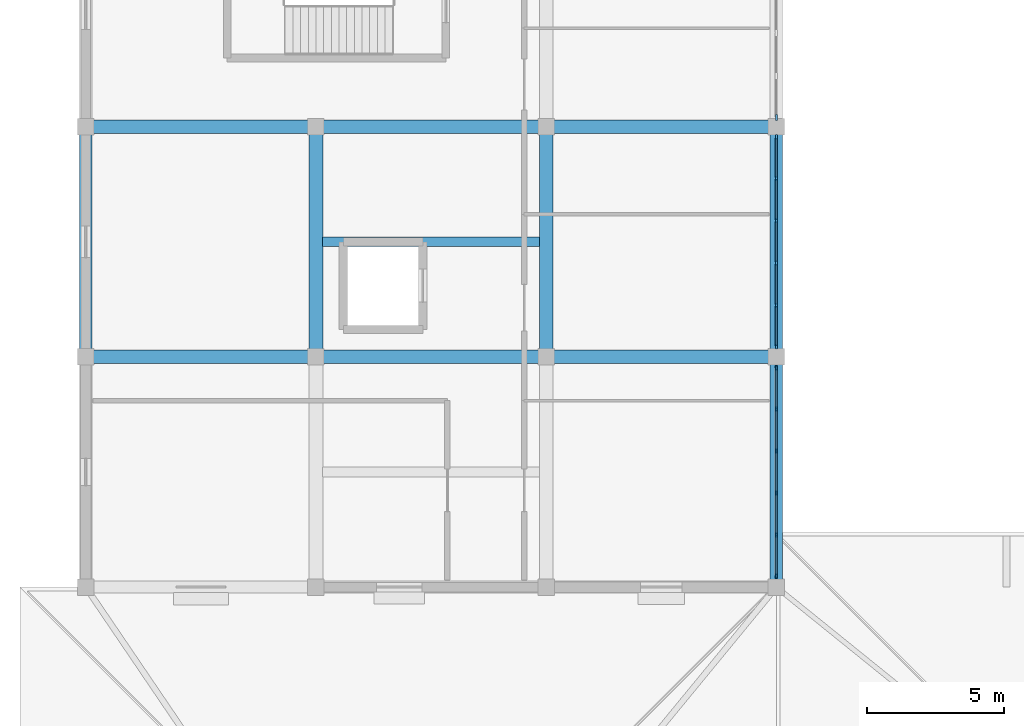
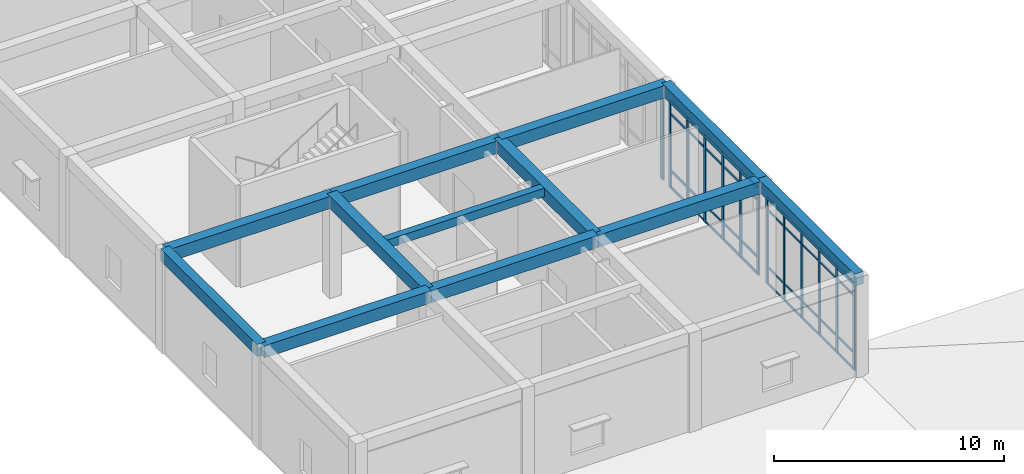
# One storey, part 6 of 89: 53 members, 12 beams, 3 elements without a shape of their own.
"""IFC4 building model written with IfcOpenShell, lengths in metres."""

from ifc_helpers import new_model, si_unit, direction, frame, origin, origin_2d, place, context, subcontext, project, spatial, rectangle, extrude, material, material_profile, profile_set, type_object, element, aggregate, save


model = new_model("IFC4")

# Units and contexts
model_context = context("Model", 3, precision=1e-05, world=origin(), true_north=direction((0.0, 1.0)))
body_context = subcontext(model_context, "Body", "Model", "MODEL_VIEW")
ifc_project = project(units=[si_unit("LENGTHUNIT", "METRE"), si_unit("AREAUNIT", "SQUARE_METRE"), si_unit("VOLUMEUNIT", "CUBIC_METRE"), si_unit("PLANEANGLEUNIT", "RADIAN"), si_unit("MASSUNIT", "GRAM", prefix="KILO")], contexts=[model_context])

# Site, building, storey
site_placement = place(None, origin())
site = spatial("IfcSite", under=ifc_project, at=site_placement, CompositionType="ELEMENT")
building_placement = place(site_placement, origin())
building = spatial("IfcBuilding", under=site, at=building_placement, Name="Varncliffe General Hospital", CompositionType="ELEMENT")
storey_placement = place(building_placement, frame((0.0, 0.0, 10.800048828125)))
storey = spatial("IfcBuildingStorey", under=building, at=storey_placement, Name="L02", CompositionType="ELEMENT", Elevation=10.800048828125)

# Beams
ifc_material_1 = material(Name="Concrete C35/45 (CSA A23.1 35 MPa)", Category="concrete")
ifc_material_profile_1 = material_profile(ifc_material_1, rectangle(XDim=0.5, YDim=0.64990234375, at=origin_2d()), Name="RC 500x650")
ifc_profile_set_1 = profile_set([ifc_material_profile_1], Name="Concrete C35/45 (CSA A23.1 35 MPa)")
beam_type_1 = type_object("IfcBeamType", Name="Beam B29 (Int RC 500x650)", PredefinedType="BEAM", material=ifc_profile_set_1)
beam_1_placement = place(storey_placement, frame((0.0, 49.199951171875, 5.074951171875), z_axis=(1.0, 0.0, 0.0), x_axis=(0.0, 1.0, 0.0)))
element("IfcBeam", 1, at=beam_1_placement, inside=storey, type_object=beam_type_1, Name="L02 Primary Beam B29-51", PredefinedType="BEAM", context=body_context, shape_type="SweptSolid", body=[
    extrude(rectangle(XDim=0.5, YDim=0.64990234375, at=origin_2d()), origin(), (0.0, 0.0, 1.0), 8.39990234375),
])
beam_2_placement = place(storey_placement, frame((8.39990234375, 49.199951171875, 5.074951171875), z_axis=(1.0, 0.0, 0.0), x_axis=(0.0, 1.0, 0.0)))
element("IfcBeam", 2, at=beam_2_placement, inside=storey, type_object=beam_type_1, Name="L02 Primary Beam B29-52", PredefinedType="BEAM", context=body_context, shape_type="SweptSolid", body=[
    extrude(rectangle(XDim=0.5, YDim=0.64990234375, at=origin_2d()), origin(), (0.0, 0.0, 1.0), 8.400146484375),
])
for number, where, z_axis, x_axis, name in (
    (3, (16.800048828125, 49.199951171875, 5.074951171875), (1.0, 0.0, 0.0), (0.0, 1.0, 0.0), "L02 Primary Beam B29-53"),
    (4, (0.0, 57.60009765625, 5.074951171875), (1.0, 0.0, 0.0), (0.0, 1.0, 0.0), "L02 Primary Beam B29-54"),
):
    element("IfcBeam", number, at=place(storey_placement, frame(where, z_axis=z_axis, x_axis=x_axis)), inside=storey, type_object=beam_type_1, Name=name, PredefinedType="BEAM", context=body_context, shape_type="SweptSolid", body=[
        extrude(rectangle(XDim=0.5, YDim=0.64990234375, at=origin_2d()), origin(), (0.0, 0.0, 1.0), 8.39990234375),
    ])
beam_3_placement = place(storey_placement, frame((8.39990234375, 57.60009765625, 5.074951171875), z_axis=(1.0, 0.0, 0.0), x_axis=(0.0, 1.0, 0.0)))
element("IfcBeam", 5, at=beam_3_placement, inside=storey, type_object=beam_type_1, Name="L02 Primary Beam B29-55", PredefinedType="BEAM", context=body_context, shape_type="SweptSolid", body=[
    extrude(rectangle(XDim=0.5, YDim=0.64990234375, at=origin_2d()), origin(), (0.0, 0.0, 1.0), 8.400146484375),
])
beam_4_placement = place(storey_placement, frame((16.800048828125, 57.60009765625, 5.074951171875), z_axis=(1.0, 0.0, 0.0), x_axis=(0.0, 1.0, 0.0)))
element("IfcBeam", 6, at=beam_4_placement, inside=storey, type_object=beam_type_1, Name="L02 Primary Beam B29-56", PredefinedType="BEAM", context=body_context, shape_type="SweptSolid", body=[
    extrude(rectangle(XDim=0.5, YDim=0.64990234375, at=origin_2d()), origin(), (0.0, 0.0, 1.0), 8.39990234375),
])
for number, where, z_axis, x_axis, name in (
    (7, (8.39990234375, 49.199951171875, 5.074951171875), (0.0, 1.0, 0.0), (-1.0, 0.0, 0.0), "L02 Primary Beam B29-253"),
    (8, (16.800048828125, 49.199951171875, 5.074951171875), (0.0, 1.0, 0.0), (-1.0, 0.0, 0.0), "L02 Primary Beam B29-264"),
):
    element("IfcBeam", number, at=place(storey_placement, frame(where, z_axis=z_axis, x_axis=x_axis)), inside=storey, type_object=beam_type_1, Name=name, PredefinedType="BEAM", context=body_context, shape_type="SweptSolid", body=[
        extrude(rectangle(XDim=0.5, YDim=0.64990234375, at=origin_2d()), origin(), (0.0, 0.0, 1.0), 8.400146484375),
    ])

# Curtain wall, members
ifc_material_2 = material(Name="Triple low-E argon insulated vision glazing", Category="glass")
curtain_wall_type_1 = type_object("IfcCurtainWallType", Name="Unitised Glazed Curtain Wall CW70 (7724x4640)", PredefinedType="USERDEFINED", material=ifc_material_2)
curtain_wall_1_placement = place(storey_placement, origin())
curtain_wall_1 = element("IfcCurtainWall", 9, at=curtain_wall_1_placement, inside=storey, type_object=curtain_wall_type_1, Name="L02 Glazed Curtain Wall CW70-151", ObjectType="GLAZED CURTAIN WALL", PredefinedType="USERDEFINED")
ifc_material_3 = material(Name="Dark bronze thermally broken aluminium framing", Category="aluminium")
ifc_material_profile_2 = material_profile(ifc_material_3, rectangle(XDim=0.074951171875, YDim=0.179931640625, at=origin_2d()), Name="ALU 75x180")
ifc_profile_set_2 = profile_set([ifc_material_profile_2], Name="Dark bronze thermally broken aluminium framing")
member_type_1 = type_object("IfcMemberType", Name="Curtain Wall Mullion CM44 (ALU 75x180)", PredefinedType="MULLION", material=ifc_profile_set_2)
member_1_placement = place(storey_placement, frame((25.199951171875, 57.224609375, 0.0), z_axis=(0.0, 0.0, 1.0), x_axis=(1.0, 0.0, 0.0)))
member_1 = element("IfcMember", 10, at=member_1_placement, type_object=member_type_1, Name="CW70 mullion 1", PredefinedType="MULLION", context=body_context, shape_type="SweptSolid", body=[
    extrude(rectangle(XDim=0.074951171875, YDim=0.179931640625, at=origin_2d()), origin(), (0.0, 0.0, 1.0), 4.639892578125),
])
member_2_placement = place(storey_placement, frame((25.199951171875, 55.71728515625, 0.0), z_axis=(0.0, 0.0, 1.0), x_axis=(1.0, 0.0, 0.0)))
member_2 = element("IfcMember", 11, at=member_2_placement, type_object=member_type_1, Name="CW70 mullion 2", PredefinedType="MULLION", context=body_context, shape_type="SweptSolid", body=[
    extrude(rectangle(XDim=0.074951171875, YDim=0.179931640625, at=origin_2d()), origin(), (0.0, 0.0, 1.0), 4.639892578125),
])
member_3_placement = place(storey_placement, frame((25.199951171875, 54.17236328125, 0.0), z_axis=(0.0, 0.0, 1.0), x_axis=(1.0, 0.0, 0.0)))
member_3 = element("IfcMember", 12, at=member_3_placement, type_object=member_type_1, Name="CW70 mullion 3", PredefinedType="MULLION", context=body_context, shape_type="SweptSolid", body=[
    extrude(rectangle(XDim=0.074951171875, YDim=0.179931640625, at=origin_2d()), origin(), (0.0, 0.0, 1.0), 4.639892578125),
])
member_4_placement = place(storey_placement, frame((25.199951171875, 52.627685546875, 0.0), z_axis=(0.0, 0.0, 1.0), x_axis=(1.0, 0.0, 0.0)))
member_4 = element("IfcMember", 13, at=member_4_placement, type_object=member_type_1, Name="CW70 mullion 4", PredefinedType="MULLION", context=body_context, shape_type="SweptSolid", body=[
    extrude(rectangle(XDim=0.074951171875, YDim=0.179931640625, at=origin_2d()), origin(), (0.0, 0.0, 1.0), 4.639892578125),
])
member_5_placement = place(storey_placement, frame((25.199951171875, 51.082763671875, 0.0), z_axis=(0.0, 0.0, 1.0), x_axis=(1.0, 0.0, 0.0)))
member_5 = element("IfcMember", 14, at=member_5_placement, type_object=member_type_1, Name="CW70 mullion 5", PredefinedType="MULLION", context=body_context, shape_type="SweptSolid", body=[
    extrude(rectangle(XDim=0.074951171875, YDim=0.179931640625, at=origin_2d()), origin(), (0.0, 0.0, 1.0), 4.639892578125),
])
member_6_placement = place(storey_placement, frame((25.199951171875, 49.575439453125, 0.0), z_axis=(0.0, 0.0, 1.0), x_axis=(1.0, 0.0, 0.0)))
member_6 = element("IfcMember", 15, at=member_6_placement, type_object=member_type_1, Name="CW70 mullion 6", PredefinedType="MULLION", context=body_context, shape_type="SweptSolid", body=[
    extrude(rectangle(XDim=0.074951171875, YDim=0.179931640625, at=origin_2d()), origin(), (0.0, 0.0, 1.0), 4.639892578125),
])

curtain_wall_type_2 = type_object("IfcCurtainWallType", Name="Unitised Glazed Curtain Wall CW27 (7644x4640)", PredefinedType="USERDEFINED", material=ifc_material_2)
curtain_wall_2_placement = place(storey_placement, origin())
curtain_wall_2 = element("IfcCurtainWall", 16, at=curtain_wall_2_placement, inside=storey, type_object=curtain_wall_type_2, Name="L02 Glazed Curtain Wall CW27-152", ObjectType="GLAZED CURTAIN WALL", PredefinedType="USERDEFINED")
ifc_material_profile_3 = material_profile(ifc_material_3, rectangle(XDim=0.06494140625, YDim=0.159912109375, at=origin_2d()), Name="ALU 65x160")
ifc_profile_set_3 = profile_set([ifc_material_profile_3], Name="Dark bronze thermally broken aluminium framing")
member_type_2 = type_object("IfcMemberType", Name="Curtain Wall Mullion CM65 (ALU 65x160)", PredefinedType="MULLION", material=ifc_profile_set_3)
member_7_placement = place(storey_placement, frame((25.199951171875, 48.78955078125, 0.0), z_axis=(0.0, 0.0, 1.0), x_axis=(1.0, 0.0, 0.0)))
member_7 = element("IfcMember", 17, at=member_7_placement, type_object=member_type_2, Name="CW27 mullion 1", PredefinedType="MULLION", context=body_context, shape_type="SweptSolid", body=[
    extrude(rectangle(XDim=0.06494140625, YDim=0.159912109375, at=origin_2d()), origin(), (0.0, 0.0, 1.0), 4.639892578125),
])
member_8_placement = place(storey_placement, frame((25.199951171875, 47.293212890625, 0.0), z_axis=(0.0, 0.0, 1.0), x_axis=(1.0, 0.0, 0.0)))
member_8 = element("IfcMember", 18, at=member_8_placement, type_object=member_type_2, Name="CW27 mullion 2", PredefinedType="MULLION", context=body_context, shape_type="SweptSolid", body=[
    extrude(rectangle(XDim=0.06494140625, YDim=0.159912109375, at=origin_2d()), origin(), (0.0, 0.0, 1.0), 4.639892578125),
])
member_9_placement = place(storey_placement, frame((25.199951171875, 45.764404296875, 0.0), z_axis=(0.0, 0.0, 1.0), x_axis=(1.0, 0.0, 0.0)))
member_9 = element("IfcMember", 19, at=member_9_placement, type_object=member_type_2, Name="CW27 mullion 3", PredefinedType="MULLION", context=body_context, shape_type="SweptSolid", body=[
    extrude(rectangle(XDim=0.06494140625, YDim=0.159912109375, at=origin_2d()), origin(), (0.0, 0.0, 1.0), 4.639892578125),
])
member_10_placement = place(storey_placement, frame((25.199951171875, 44.235595703125, 0.0), z_axis=(0.0, 0.0, 1.0), x_axis=(1.0, 0.0, 0.0)))
member_10 = element("IfcMember", 20, at=member_10_placement, type_object=member_type_2, Name="CW27 mullion 4", PredefinedType="MULLION", context=body_context, shape_type="SweptSolid", body=[
    extrude(rectangle(XDim=0.06494140625, YDim=0.159912109375, at=origin_2d()), origin(), (0.0, 0.0, 1.0), 4.639892578125),
])
member_11_placement = place(storey_placement, frame((25.199951171875, 42.706787109375, 0.0), z_axis=(0.0, 0.0, 1.0), x_axis=(1.0, 0.0, 0.0)))
member_11 = element("IfcMember", 21, at=member_11_placement, type_object=member_type_2, Name="CW27 mullion 5", PredefinedType="MULLION", context=body_context, shape_type="SweptSolid", body=[
    extrude(rectangle(XDim=0.06494140625, YDim=0.159912109375, at=origin_2d()), origin(), (0.0, 0.0, 1.0), 4.639892578125),
])
member_12_placement = place(storey_placement, frame((25.199951171875, 41.21044921875, 0.0), z_axis=(0.0, 0.0, 1.0), x_axis=(1.0, 0.0, 0.0)))
member_12 = element("IfcMember", 22, at=member_12_placement, type_object=member_type_2, Name="CW27 mullion 6", PredefinedType="MULLION", context=body_context, shape_type="SweptSolid", body=[
    extrude(rectangle(XDim=0.06494140625, YDim=0.159912109375, at=origin_2d()), origin(), (0.0, 0.0, 1.0), 4.639892578125),
])

# Curtain wall, member
curtain_wall_type_3 = type_object("IfcCurtainWallType", Name="Unitised Glazed Curtain Wall CW85 (7804x4640)", PredefinedType="USERDEFINED", material=ifc_material_2)
curtain_wall_3_placement = place(storey_placement, origin())
curtain_wall_3 = element("IfcCurtainWall", 23, at=curtain_wall_3_placement, inside=storey, type_object=curtain_wall_type_3, Name="L02 Glazed Curtain Wall CW85-150", ObjectType="GLAZED CURTAIN WALL", PredefinedType="USERDEFINED")
ifc_material_profile_4 = material_profile(ifc_material_3, rectangle(XDim=0.074951171875, YDim=0.219970703125, at=origin_2d()), Name="ALU 75x220")
ifc_profile_set_4 = profile_set([ifc_material_profile_4], Name="Dark bronze thermally broken aluminium framing")
member_type_3 = type_object("IfcMemberType", Name="Curtain Wall Mullion CM74 (ALU 75x220)", PredefinedType="MULLION", material=ifc_profile_set_4)
member_13_placement = place(storey_placement, frame((25.199951171875, 57.935546875, 0.0), z_axis=(0.0, 0.0, 1.0), x_axis=(1.0, 0.0, 0.0)))
member_13 = element("IfcMember", 24, at=member_13_placement, type_object=member_type_3, Name="CW85 mullion 6", PredefinedType="MULLION", context=body_context, shape_type="SweptSolid", body=[
    extrude(rectangle(XDim=0.074951171875, YDim=0.219970703125, at=origin_2d()), origin(), (0.0, 0.0, 1.0), 4.639892578125),
])
aggregate(curtain_wall_3, [member_13])

# Member
ifc_material_profile_5 = material_profile(ifc_material_3, rectangle(XDim=0.06005859375, YDim=0.1201171875, at=origin_2d()), Name="ALU 60x120")
ifc_profile_set_5 = profile_set([ifc_material_profile_5], Name="Dark bronze thermally broken aluminium framing")
member_type_4 = type_object("IfcMemberType", Name="Curtain Wall Transom CT14 (ALU 60x120)", PredefinedType="USERDEFINED", material=ifc_profile_set_5)
member_14_placement = place(storey_placement, frame((25.199951171875, 57.18701171875, 0.030029296875), z_axis=(0.0, -1.0, 0.0), x_axis=(1.0, 0.0, 0.0)))
member_14 = element("IfcMember", 25, at=member_14_placement, type_object=member_type_4, Name="CW70 transom 1.1", ObjectType="TRANSOM", PredefinedType="USERDEFINED", context=body_context, shape_type="SweptSolid", body=[
    extrude(rectangle(XDim=0.06005859375, YDim=0.1201171875, at=origin_2d()), origin(), (0.0, 0.0, 1.0), 1.432373046875),
])

member_15_placement = place(storey_placement, frame((25.199951171875, 57.18701171875, 0.89990234375), z_axis=(0.0, -1.0, 0.0), x_axis=(1.0, 0.0, 0.0)))
member_15 = element("IfcMember", 26, at=member_15_placement, type_object=member_type_4, Name="CW70 transom 1.2", ObjectType="TRANSOM", PredefinedType="USERDEFINED", context=body_context, shape_type="SweptSolid", body=[
    extrude(rectangle(XDim=0.06005859375, YDim=0.1201171875, at=origin_2d()), origin(), (0.0, 0.0, 1.0), 1.432373046875),
])

member_16_placement = place(storey_placement, frame((25.199951171875, 57.18701171875, 3.93994140625), z_axis=(0.0, -1.0, 0.0), x_axis=(1.0, 0.0, 0.0)))
member_16 = element("IfcMember", 27, at=member_16_placement, type_object=member_type_4, Name="CW70 transom 1.3", ObjectType="TRANSOM", PredefinedType="USERDEFINED", context=body_context, shape_type="SweptSolid", body=[
    extrude(rectangle(XDim=0.06005859375, YDim=0.1201171875, at=origin_2d()), origin(), (0.0, 0.0, 1.0), 1.432373046875),
])

member_17_placement = place(storey_placement, frame((25.199951171875, 57.18701171875, 4.60986328125), z_axis=(0.0, -1.0, 0.0), x_axis=(1.0, 0.0, 0.0)))
member_17 = element("IfcMember", 28, at=member_17_placement, type_object=member_type_4, Name="CW70 transom 1.4", ObjectType="TRANSOM", PredefinedType="USERDEFINED", context=body_context, shape_type="SweptSolid", body=[
    extrude(rectangle(XDim=0.06005859375, YDim=0.1201171875, at=origin_2d()), origin(), (0.0, 0.0, 1.0), 1.432373046875),
])

member_18_placement = place(storey_placement, frame((25.199951171875, 55.6796875, 0.030029296875), z_axis=(0.0, -1.0, 0.0), x_axis=(1.0, 0.0, 0.0)))
member_18 = element("IfcMember", 29, at=member_18_placement, type_object=member_type_4, Name="CW70 transom 2.1", ObjectType="TRANSOM", PredefinedType="USERDEFINED", context=body_context, shape_type="SweptSolid", body=[
    extrude(rectangle(XDim=0.06005859375, YDim=0.1201171875, at=origin_2d()), origin(), (0.0, 0.0, 1.0), 1.4697265625),
])

member_19_placement = place(storey_placement, frame((25.199951171875, 55.6796875, 0.89990234375), z_axis=(0.0, -1.0, 0.0), x_axis=(1.0, 0.0, 0.0)))
member_19 = element("IfcMember", 30, at=member_19_placement, type_object=member_type_4, Name="CW70 transom 2.2", ObjectType="TRANSOM", PredefinedType="USERDEFINED", context=body_context, shape_type="SweptSolid", body=[
    extrude(rectangle(XDim=0.06005859375, YDim=0.1201171875, at=origin_2d()), origin(), (0.0, 0.0, 1.0), 1.4697265625),
])

member_20_placement = place(storey_placement, frame((25.199951171875, 55.6796875, 3.93994140625), z_axis=(0.0, -1.0, 0.0), x_axis=(1.0, 0.0, 0.0)))
member_20 = element("IfcMember", 31, at=member_20_placement, type_object=member_type_4, Name="CW70 transom 2.3", ObjectType="TRANSOM", PredefinedType="USERDEFINED", context=body_context, shape_type="SweptSolid", body=[
    extrude(rectangle(XDim=0.06005859375, YDim=0.1201171875, at=origin_2d()), origin(), (0.0, 0.0, 1.0), 1.4697265625),
])

member_21_placement = place(storey_placement, frame((25.199951171875, 55.6796875, 4.60986328125), z_axis=(0.0, -1.0, 0.0), x_axis=(1.0, 0.0, 0.0)))
member_21 = element("IfcMember", 32, at=member_21_placement, type_object=member_type_4, Name="CW70 transom 2.4", ObjectType="TRANSOM", PredefinedType="USERDEFINED", context=body_context, shape_type="SweptSolid", body=[
    extrude(rectangle(XDim=0.06005859375, YDim=0.1201171875, at=origin_2d()), origin(), (0.0, 0.0, 1.0), 1.4697265625),
])

member_22_placement = place(storey_placement, frame((25.199951171875, 54.135009765625, 0.030029296875), z_axis=(0.0, -1.0, 0.0), x_axis=(1.0, 0.0, 0.0)))
member_22 = element("IfcMember", 33, at=member_22_placement, type_object=member_type_4, Name="CW70 transom 3.1", ObjectType="TRANSOM", PredefinedType="USERDEFINED", context=body_context, shape_type="SweptSolid", body=[
    extrude(rectangle(XDim=0.06005859375, YDim=0.1201171875, at=origin_2d()), origin(), (0.0, 0.0, 1.0), 1.469970703125),
])

member_23_placement = place(storey_placement, frame((25.199951171875, 54.135009765625, 0.89990234375), z_axis=(0.0, -1.0, 0.0), x_axis=(1.0, 0.0, 0.0)))
member_23 = element("IfcMember", 34, at=member_23_placement, type_object=member_type_4, Name="CW70 transom 3.2", ObjectType="TRANSOM", PredefinedType="USERDEFINED", context=body_context, shape_type="SweptSolid", body=[
    extrude(rectangle(XDim=0.06005859375, YDim=0.1201171875, at=origin_2d()), origin(), (0.0, 0.0, 1.0), 1.469970703125),
])

member_24_placement = place(storey_placement, frame((25.199951171875, 54.135009765625, 3.93994140625), z_axis=(0.0, -1.0, 0.0), x_axis=(1.0, 0.0, 0.0)))
member_24 = element("IfcMember", 35, at=member_24_placement, type_object=member_type_4, Name="CW70 transom 3.3", ObjectType="TRANSOM", PredefinedType="USERDEFINED", context=body_context, shape_type="SweptSolid", body=[
    extrude(rectangle(XDim=0.06005859375, YDim=0.1201171875, at=origin_2d()), origin(), (0.0, 0.0, 1.0), 1.469970703125),
])

member_25_placement = place(storey_placement, frame((25.199951171875, 54.135009765625, 4.60986328125), z_axis=(0.0, -1.0, 0.0), x_axis=(1.0, 0.0, 0.0)))
member_25 = element("IfcMember", 36, at=member_25_placement, type_object=member_type_4, Name="CW70 transom 3.4", ObjectType="TRANSOM", PredefinedType="USERDEFINED", context=body_context, shape_type="SweptSolid", body=[
    extrude(rectangle(XDim=0.06005859375, YDim=0.1201171875, at=origin_2d()), origin(), (0.0, 0.0, 1.0), 1.469970703125),
])

member_26_placement = place(storey_placement, frame((25.199951171875, 52.590087890625, 0.030029296875), z_axis=(0.0, -1.0, 0.0), x_axis=(1.0, 0.0, 0.0)))
member_26 = element("IfcMember", 37, at=member_26_placement, type_object=member_type_4, Name="CW70 transom 4.1", ObjectType="TRANSOM", PredefinedType="USERDEFINED", context=body_context, shape_type="SweptSolid", body=[
    extrude(rectangle(XDim=0.06005859375, YDim=0.1201171875, at=origin_2d()), origin(), (0.0, 0.0, 1.0), 1.4697265625),
])

member_27_placement = place(storey_placement, frame((25.199951171875, 52.590087890625, 0.89990234375), z_axis=(0.0, -1.0, 0.0), x_axis=(1.0, 0.0, 0.0)))
member_27 = element("IfcMember", 38, at=member_27_placement, type_object=member_type_4, Name="CW70 transom 4.2", ObjectType="TRANSOM", PredefinedType="USERDEFINED", context=body_context, shape_type="SweptSolid", body=[
    extrude(rectangle(XDim=0.06005859375, YDim=0.1201171875, at=origin_2d()), origin(), (0.0, 0.0, 1.0), 1.4697265625),
])

member_28_placement = place(storey_placement, frame((25.199951171875, 52.590087890625, 3.93994140625), z_axis=(0.0, -1.0, 0.0), x_axis=(1.0, 0.0, 0.0)))
member_28 = element("IfcMember", 39, at=member_28_placement, type_object=member_type_4, Name="CW70 transom 4.3", ObjectType="TRANSOM", PredefinedType="USERDEFINED", context=body_context, shape_type="SweptSolid", body=[
    extrude(rectangle(XDim=0.06005859375, YDim=0.1201171875, at=origin_2d()), origin(), (0.0, 0.0, 1.0), 1.4697265625),
])

member_29_placement = place(storey_placement, frame((25.199951171875, 52.590087890625, 4.60986328125), z_axis=(0.0, -1.0, 0.0), x_axis=(1.0, 0.0, 0.0)))
member_29 = element("IfcMember", 40, at=member_29_placement, type_object=member_type_4, Name="CW70 transom 4.4", ObjectType="TRANSOM", PredefinedType="USERDEFINED", context=body_context, shape_type="SweptSolid", body=[
    extrude(rectangle(XDim=0.06005859375, YDim=0.1201171875, at=origin_2d()), origin(), (0.0, 0.0, 1.0), 1.4697265625),
])

member_30_placement = place(storey_placement, frame((25.199951171875, 51.04541015625, 0.030029296875), z_axis=(0.0, -1.0, 0.0), x_axis=(1.0, 0.0, 0.0)))
member_30 = element("IfcMember", 41, at=member_30_placement, type_object=member_type_4, Name="CW70 transom 5.1", ObjectType="TRANSOM", PredefinedType="USERDEFINED", context=body_context, shape_type="SweptSolid", body=[
    extrude(rectangle(XDim=0.06005859375, YDim=0.1201171875, at=origin_2d()), origin(), (0.0, 0.0, 1.0), 1.432373046875),
])

member_31_placement = place(storey_placement, frame((25.199951171875, 51.04541015625, 0.89990234375), z_axis=(0.0, -1.0, 0.0), x_axis=(1.0, 0.0, 0.0)))
member_31 = element("IfcMember", 42, at=member_31_placement, type_object=member_type_4, Name="CW70 transom 5.2", ObjectType="TRANSOM", PredefinedType="USERDEFINED", context=body_context, shape_type="SweptSolid", body=[
    extrude(rectangle(XDim=0.06005859375, YDim=0.1201171875, at=origin_2d()), origin(), (0.0, 0.0, 1.0), 1.432373046875),
])

member_32_placement = place(storey_placement, frame((25.199951171875, 51.04541015625, 3.93994140625), z_axis=(0.0, -1.0, 0.0), x_axis=(1.0, 0.0, 0.0)))
member_32 = element("IfcMember", 43, at=member_32_placement, type_object=member_type_4, Name="CW70 transom 5.3", ObjectType="TRANSOM", PredefinedType="USERDEFINED", context=body_context, shape_type="SweptSolid", body=[
    extrude(rectangle(XDim=0.06005859375, YDim=0.1201171875, at=origin_2d()), origin(), (0.0, 0.0, 1.0), 1.432373046875),
])

member_33_placement = place(storey_placement, frame((25.199951171875, 51.04541015625, 4.60986328125), z_axis=(0.0, -1.0, 0.0), x_axis=(1.0, 0.0, 0.0)))
member_33 = element("IfcMember", 44, at=member_33_placement, type_object=member_type_4, Name="CW70 transom 5.4", ObjectType="TRANSOM", PredefinedType="USERDEFINED", context=body_context, shape_type="SweptSolid", body=[
    extrude(rectangle(XDim=0.06005859375, YDim=0.1201171875, at=origin_2d()), origin(), (0.0, 0.0, 1.0), 1.432373046875),
])

aggregate(curtain_wall_1, [member_1, member_2, member_3, member_4, member_5, member_6, member_14, member_15, member_16, member_17, member_18, member_19, member_20, member_21, member_22, member_23, member_24, member_25, member_26, member_27, member_28, member_29, member_30, member_31, member_32, member_33])

ifc_material_profile_6 = material_profile(ifc_material_3, rectangle(XDim=0.06005859375, YDim=0.10009765625, at=origin_2d()), Name="ALU 60x100")
ifc_profile_set_6 = profile_set([ifc_material_profile_6], Name="Dark bronze thermally broken aluminium framing")
member_type_5 = type_object("IfcMemberType", Name="Curtain Wall Transom CT18 (ALU 60x100)", PredefinedType="USERDEFINED", material=ifc_profile_set_6)
member_34_placement = place(storey_placement, frame((25.199951171875, 48.757080078125, 0.030029296875), z_axis=(0.0, -1.0, 0.0), x_axis=(1.0, 0.0, 0.0)))
member_34 = element("IfcMember", 45, at=member_34_placement, type_object=member_type_5, Name="CW27 transom 1.1", ObjectType="TRANSOM", PredefinedType="USERDEFINED", context=body_context, shape_type="SweptSolid", body=[
    extrude(rectangle(XDim=0.06005859375, YDim=0.10009765625, at=origin_2d()), origin(), (0.0, 0.0, 1.0), 1.431396484375),
])

member_35_placement = place(storey_placement, frame((25.199951171875, 48.757080078125, 0.89990234375), z_axis=(0.0, -1.0, 0.0), x_axis=(1.0, 0.0, 0.0)))
member_35 = element("IfcMember", 46, at=member_35_placement, type_object=member_type_5, Name="CW27 transom 1.2", ObjectType="TRANSOM", PredefinedType="USERDEFINED", context=body_context, shape_type="SweptSolid", body=[
    extrude(rectangle(XDim=0.06005859375, YDim=0.10009765625, at=origin_2d()), origin(), (0.0, 0.0, 1.0), 1.431396484375),
])

member_36_placement = place(storey_placement, frame((25.199951171875, 48.757080078125, 3.93994140625), z_axis=(0.0, -1.0, 0.0), x_axis=(1.0, 0.0, 0.0)))
member_36 = element("IfcMember", 47, at=member_36_placement, type_object=member_type_5, Name="CW27 transom 1.3", ObjectType="TRANSOM", PredefinedType="USERDEFINED", context=body_context, shape_type="SweptSolid", body=[
    extrude(rectangle(XDim=0.06005859375, YDim=0.10009765625, at=origin_2d()), origin(), (0.0, 0.0, 1.0), 1.431396484375),
])

member_37_placement = place(storey_placement, frame((25.199951171875, 48.757080078125, 4.60986328125), z_axis=(0.0, -1.0, 0.0), x_axis=(1.0, 0.0, 0.0)))
member_37 = element("IfcMember", 48, at=member_37_placement, type_object=member_type_5, Name="CW27 transom 1.4", ObjectType="TRANSOM", PredefinedType="USERDEFINED", context=body_context, shape_type="SweptSolid", body=[
    extrude(rectangle(XDim=0.06005859375, YDim=0.10009765625, at=origin_2d()), origin(), (0.0, 0.0, 1.0), 1.431396484375),
])

member_38_placement = place(storey_placement, frame((25.199951171875, 47.2607421875, 0.030029296875), z_axis=(0.0, -1.0, 0.0), x_axis=(1.0, 0.0, 0.0)))
member_38 = element("IfcMember", 49, at=member_38_placement, type_object=member_type_5, Name="CW27 transom 2.1", ObjectType="TRANSOM", PredefinedType="USERDEFINED", context=body_context, shape_type="SweptSolid", body=[
    extrude(rectangle(XDim=0.06005859375, YDim=0.10009765625, at=origin_2d()), origin(), (0.0, 0.0, 1.0), 1.4638671875),
])

member_39_placement = place(storey_placement, frame((25.199951171875, 47.2607421875, 0.89990234375), z_axis=(0.0, -1.0, 0.0), x_axis=(1.0, 0.0, 0.0)))
member_39 = element("IfcMember", 50, at=member_39_placement, type_object=member_type_5, Name="CW27 transom 2.2", ObjectType="TRANSOM", PredefinedType="USERDEFINED", context=body_context, shape_type="SweptSolid", body=[
    extrude(rectangle(XDim=0.06005859375, YDim=0.10009765625, at=origin_2d()), origin(), (0.0, 0.0, 1.0), 1.4638671875),
])

member_40_placement = place(storey_placement, frame((25.199951171875, 47.2607421875, 3.93994140625), z_axis=(0.0, -1.0, 0.0), x_axis=(1.0, 0.0, 0.0)))
member_40 = element("IfcMember", 51, at=member_40_placement, type_object=member_type_5, Name="CW27 transom 2.3", ObjectType="TRANSOM", PredefinedType="USERDEFINED", context=body_context, shape_type="SweptSolid", body=[
    extrude(rectangle(XDim=0.06005859375, YDim=0.10009765625, at=origin_2d()), origin(), (0.0, 0.0, 1.0), 1.4638671875),
])

member_41_placement = place(storey_placement, frame((25.199951171875, 47.2607421875, 4.60986328125), z_axis=(0.0, -1.0, 0.0), x_axis=(1.0, 0.0, 0.0)))
member_41 = element("IfcMember", 52, at=member_41_placement, type_object=member_type_5, Name="CW27 transom 2.4", ObjectType="TRANSOM", PredefinedType="USERDEFINED", context=body_context, shape_type="SweptSolid", body=[
    extrude(rectangle(XDim=0.06005859375, YDim=0.10009765625, at=origin_2d()), origin(), (0.0, 0.0, 1.0), 1.4638671875),
])

member_42_placement = place(storey_placement, frame((25.199951171875, 45.73193359375, 0.030029296875), z_axis=(0.0, -1.0, 0.0), x_axis=(1.0, 0.0, 0.0)))
member_42 = element("IfcMember", 53, at=member_42_placement, type_object=member_type_5, Name="CW27 transom 3.1", ObjectType="TRANSOM", PredefinedType="USERDEFINED", context=body_context, shape_type="SweptSolid", body=[
    extrude(rectangle(XDim=0.06005859375, YDim=0.10009765625, at=origin_2d()), origin(), (0.0, 0.0, 1.0), 1.4638671875),
])

member_43_placement = place(storey_placement, frame((25.199951171875, 45.73193359375, 0.89990234375), z_axis=(0.0, -1.0, 0.0), x_axis=(1.0, 0.0, 0.0)))
member_43 = element("IfcMember", 54, at=member_43_placement, type_object=member_type_5, Name="CW27 transom 3.2", ObjectType="TRANSOM", PredefinedType="USERDEFINED", context=body_context, shape_type="SweptSolid", body=[
    extrude(rectangle(XDim=0.06005859375, YDim=0.10009765625, at=origin_2d()), origin(), (0.0, 0.0, 1.0), 1.4638671875),
])

member_44_placement = place(storey_placement, frame((25.199951171875, 45.73193359375, 3.93994140625), z_axis=(0.0, -1.0, 0.0), x_axis=(1.0, 0.0, 0.0)))
member_44 = element("IfcMember", 55, at=member_44_placement, type_object=member_type_5, Name="CW27 transom 3.3", ObjectType="TRANSOM", PredefinedType="USERDEFINED", context=body_context, shape_type="SweptSolid", body=[
    extrude(rectangle(XDim=0.06005859375, YDim=0.10009765625, at=origin_2d()), origin(), (0.0, 0.0, 1.0), 1.4638671875),
])

member_45_placement = place(storey_placement, frame((25.199951171875, 45.73193359375, 4.60986328125), z_axis=(0.0, -1.0, 0.0), x_axis=(1.0, 0.0, 0.0)))
member_45 = element("IfcMember", 56, at=member_45_placement, type_object=member_type_5, Name="CW27 transom 3.4", ObjectType="TRANSOM", PredefinedType="USERDEFINED", context=body_context, shape_type="SweptSolid", body=[
    extrude(rectangle(XDim=0.06005859375, YDim=0.10009765625, at=origin_2d()), origin(), (0.0, 0.0, 1.0), 1.4638671875),
])

member_46_placement = place(storey_placement, frame((25.199951171875, 44.203125, 0.030029296875), z_axis=(0.0, -1.0, 0.0), x_axis=(1.0, 0.0, 0.0)))
member_46 = element("IfcMember", 57, at=member_46_placement, type_object=member_type_5, Name="CW27 transom 4.1", ObjectType="TRANSOM", PredefinedType="USERDEFINED", context=body_context, shape_type="SweptSolid", body=[
    extrude(rectangle(XDim=0.06005859375, YDim=0.10009765625, at=origin_2d()), origin(), (0.0, 0.0, 1.0), 1.4638671875),
])

member_47_placement = place(storey_placement, frame((25.199951171875, 44.203125, 0.89990234375), z_axis=(0.0, -1.0, 0.0), x_axis=(1.0, 0.0, 0.0)))
member_47 = element("IfcMember", 58, at=member_47_placement, type_object=member_type_5, Name="CW27 transom 4.2", ObjectType="TRANSOM", PredefinedType="USERDEFINED", context=body_context, shape_type="SweptSolid", body=[
    extrude(rectangle(XDim=0.06005859375, YDim=0.10009765625, at=origin_2d()), origin(), (0.0, 0.0, 1.0), 1.4638671875),
])

member_48_placement = place(storey_placement, frame((25.199951171875, 44.203125, 3.93994140625), z_axis=(0.0, -1.0, 0.0), x_axis=(1.0, 0.0, 0.0)))
member_48 = element("IfcMember", 59, at=member_48_placement, type_object=member_type_5, Name="CW27 transom 4.3", ObjectType="TRANSOM", PredefinedType="USERDEFINED", context=body_context, shape_type="SweptSolid", body=[
    extrude(rectangle(XDim=0.06005859375, YDim=0.10009765625, at=origin_2d()), origin(), (0.0, 0.0, 1.0), 1.4638671875),
])

member_49_placement = place(storey_placement, frame((25.199951171875, 44.203125, 4.60986328125), z_axis=(0.0, -1.0, 0.0), x_axis=(1.0, 0.0, 0.0)))
member_49 = element("IfcMember", 60, at=member_49_placement, type_object=member_type_5, Name="CW27 transom 4.4", ObjectType="TRANSOM", PredefinedType="USERDEFINED", context=body_context, shape_type="SweptSolid", body=[
    extrude(rectangle(XDim=0.06005859375, YDim=0.10009765625, at=origin_2d()), origin(), (0.0, 0.0, 1.0), 1.4638671875),
])

member_50_placement = place(storey_placement, frame((25.199951171875, 42.67431640625, 0.030029296875), z_axis=(0.0, -1.0, 0.0), x_axis=(1.0, 0.0, 0.0)))
member_50 = element("IfcMember", 61, at=member_50_placement, type_object=member_type_5, Name="CW27 transom 5.1", ObjectType="TRANSOM", PredefinedType="USERDEFINED", context=body_context, shape_type="SweptSolid", body=[
    extrude(rectangle(XDim=0.06005859375, YDim=0.10009765625, at=origin_2d()), origin(), (0.0, 0.0, 1.0), 1.431396484375),
])

member_51_placement = place(storey_placement, frame((25.199951171875, 42.67431640625, 0.89990234375), z_axis=(0.0, -1.0, 0.0), x_axis=(1.0, 0.0, 0.0)))
member_51 = element("IfcMember", 62, at=member_51_placement, type_object=member_type_5, Name="CW27 transom 5.2", ObjectType="TRANSOM", PredefinedType="USERDEFINED", context=body_context, shape_type="SweptSolid", body=[
    extrude(rectangle(XDim=0.06005859375, YDim=0.10009765625, at=origin_2d()), origin(), (0.0, 0.0, 1.0), 1.431396484375),
])

member_52_placement = place(storey_placement, frame((25.199951171875, 42.67431640625, 3.93994140625), z_axis=(0.0, -1.0, 0.0), x_axis=(1.0, 0.0, 0.0)))
member_52 = element("IfcMember", 63, at=member_52_placement, type_object=member_type_5, Name="CW27 transom 5.3", ObjectType="TRANSOM", PredefinedType="USERDEFINED", context=body_context, shape_type="SweptSolid", body=[
    extrude(rectangle(XDim=0.06005859375, YDim=0.10009765625, at=origin_2d()), origin(), (0.0, 0.0, 1.0), 1.431396484375),
])

member_53_placement = place(storey_placement, frame((25.199951171875, 42.67431640625, 4.60986328125), z_axis=(0.0, -1.0, 0.0), x_axis=(1.0, 0.0, 0.0)))
member_53 = element("IfcMember", 64, at=member_53_placement, type_object=member_type_5, Name="CW27 transom 5.4", ObjectType="TRANSOM", PredefinedType="USERDEFINED", context=body_context, shape_type="SweptSolid", body=[
    extrude(rectangle(XDim=0.06005859375, YDim=0.10009765625, at=origin_2d()), origin(), (0.0, 0.0, 1.0), 1.431396484375),
])

aggregate(curtain_wall_2, [member_7, member_8, member_9, member_10, member_11, member_12, member_34, member_35, member_36, member_37, member_38, member_39, member_40, member_41, member_42, member_43, member_44, member_45, member_46, member_47, member_48, member_49, member_50, member_51, member_52, member_53])

# Beams
ifc_material_profile_7 = material_profile(ifc_material_1, rectangle(XDim=0.35009765625, YDim=0.449951171875, at=origin_2d()), Name="RC 350x450")
ifc_profile_set_7 = profile_set([ifc_material_profile_7], Name="Concrete C35/45 (CSA A23.1 35 MPa)")
beam_type_2 = type_object("IfcBeamType", Name="Joist J55 (Int RC 350x450)", PredefinedType="JOIST", material=ifc_profile_set_7)
beam_5_placement = place(storey_placement, frame((8.64794921875, 53.39990234375, 5.175048828125), z_axis=(1.0, 0.0, 0.0), x_axis=(0.0, 1.0, 0.0)))
element("IfcBeam", 65, at=beam_5_placement, inside=storey, type_object=beam_type_2, Name="L02 Secondary Floor Rib J55-2", PredefinedType="JOIST", context=body_context, shape_type="SweptSolid", body=[
    extrude(rectangle(XDim=0.35009765625, YDim=0.449951171875, at=origin_2d()), origin(), (0.0, 0.0, 1.0), 7.904052734375),
])
ifc_material_profile_8 = material_profile(ifc_material_1, rectangle(XDim=0.449951171875, YDim=0.64990234375, at=origin_2d()), Name="RC 450x650")
ifc_profile_set_8 = profile_set([ifc_material_profile_8], Name="Concrete C35/45 (CSA A23.1 35 MPa)")
beam_type_3 = type_object("IfcBeamType", Name="Spandrel SP38 (Ext RC 450x650B)", PredefinedType="SPANDREL", material=ifc_profile_set_8)
beam_6_placement = place(storey_placement, frame((0.0, 49.199951171875, 5.074951171875), z_axis=(0.0, 1.0, 0.0), x_axis=(-1.0, 0.0, 0.0)))
element("IfcBeam", 66, at=beam_6_placement, inside=storey, type_object=beam_type_3, Name="L02 Spandrel Beam SP38-241", PredefinedType="SPANDREL", context=body_context, shape_type="SweptSolid", body=[
    extrude(rectangle(XDim=0.449951171875, YDim=0.64990234375, at=origin_2d()), origin(), (0.0, 0.0, 1.0), 8.400146484375),
])
beam_7_placement = place(storey_placement, frame((25.199951171875, 40.800048828125, 5.074951171875), z_axis=(0.0, 1.0, 0.0), x_axis=(-1.0, 0.0, 0.0)))
element("IfcBeam", 67, at=beam_7_placement, inside=storey, type_object=beam_type_3, Name="L02 Spandrel Beam SP38-275", PredefinedType="SPANDREL", context=body_context, shape_type="SweptSolid", body=[
    extrude(rectangle(XDim=0.449951171875, YDim=0.64990234375, at=origin_2d()), origin(), (0.0, 0.0, 1.0), 8.39990234375),
])
beam_8_placement = place(storey_placement, frame((25.199951171875, 49.199951171875, 5.074951171875), z_axis=(0.0, 1.0, 0.0), x_axis=(-1.0, 0.0, 0.0)))
element("IfcBeam", 68, at=beam_8_placement, inside=storey, type_object=beam_type_3, Name="L02 Spandrel Beam SP38-276", PredefinedType="SPANDREL", context=body_context, shape_type="SweptSolid", body=[
    extrude(rectangle(XDim=0.449951171875, YDim=0.64990234375, at=origin_2d()), origin(), (0.0, 0.0, 1.0), 8.400146484375),
])

save(model, "model.ifc")
